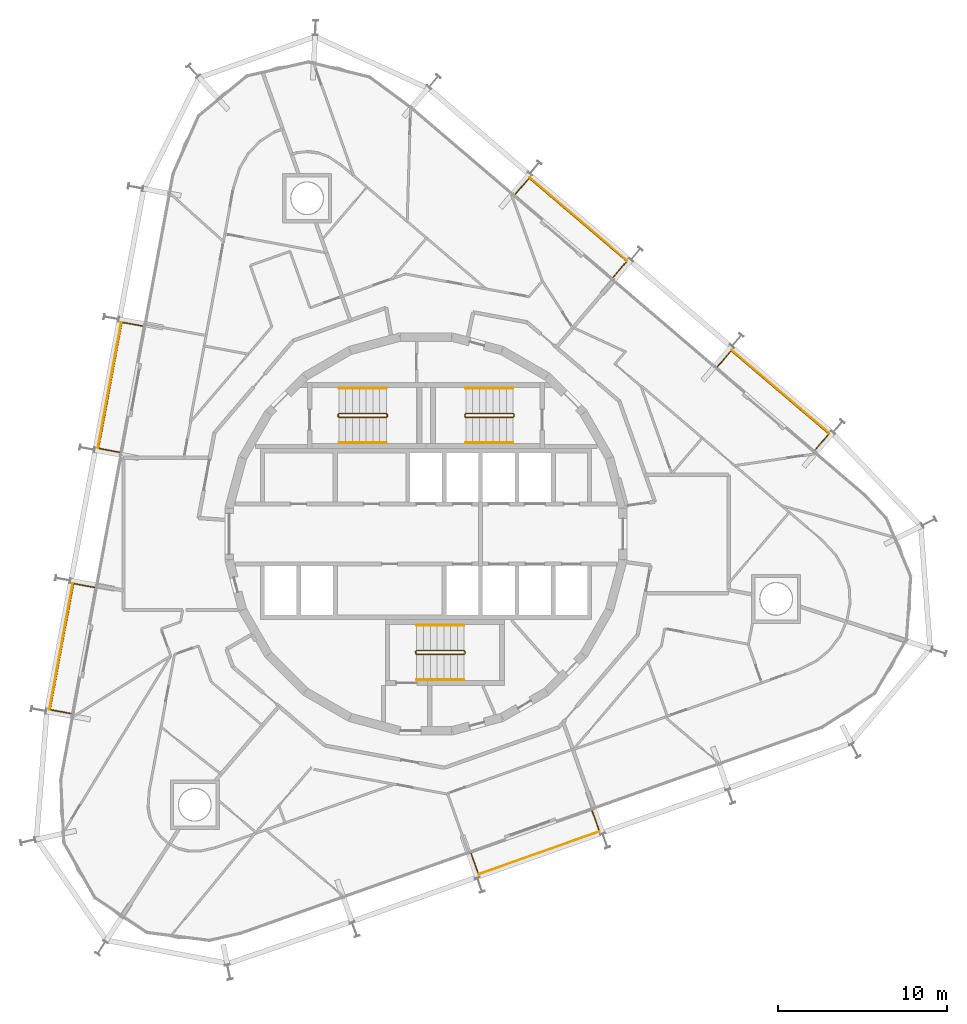
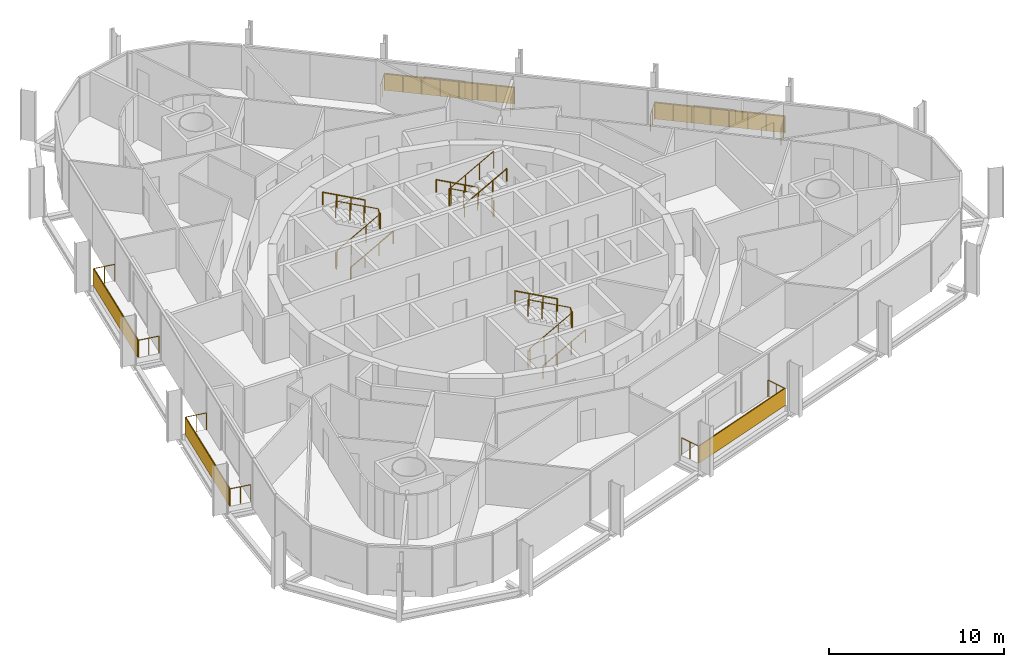
# One storey, part 17 of 17: 14 railings, 5 shading devices.
"""IFC4 building model written with IfcOpenShell, lengths in metres."""

import ifcopenshell
import ifcopenshell.guid

model = None  # the IFC model being written
_history = None  # IfcOwnerHistory: only IFC2X3 demands one
_inside = {}  # id of a spatial element -> (the spatial element, [elements in it])
_under = {}  # id of a project, library or spatial element -> (it, [spatial elements below it])
_declared = {}  # id of a project -> (the project, [libraries it declares])
_typed = {}  # id of a type object -> (the type object, [elements of that type])
_made_of = {}  # id of a material, layer set ... -> (it, [elements and type objects made of it])


def new_model(schema):
    """Start an empty IFC model of exactly this schema.

    Asked for "IFC4X3", IfcOpenShell would pick the latest addendum, in which some entities
    have other attributes; the version numbers below select the first issue.
    IFC2X3 requires an IfcOwnerHistory on every rooted entity: one is made here for all.
    """
    global model, _history
    if schema == "IFC4X3":
        model = ifcopenshell.file(schema_version=(4, 3, 0, 0))
    else:
        model = ifcopenshell.file(schema=schema)
    _inside.clear()
    _under.clear()
    _declared.clear()
    _typed.clear()
    _made_of.clear()
    _history = None
    if model.schema == "IFC2X3":
        org = make("IfcOrganization", Name="unknown")
        user = make(
            "IfcPersonAndOrganization",
            ThePerson=make("IfcPerson", FamilyName="unknown"),
            TheOrganization=org,
        )
        app = make(
            "IfcApplication",
            ApplicationDeveloper=org,
            Version="unknown",
            ApplicationFullName="unknown",
            ApplicationIdentifier="unknown",
        )
        _history = make(
            "IfcOwnerHistory",
            OwningUser=user,
            OwningApplication=app,
            ChangeAction="ADDED",
            CreationDate=0,
        )
    return model


def make(cls, **values):
    """One entity of the class cls with the attributes given. An attribute that is None is left unset."""
    return model.create_entity(
        cls, **{name: value for name, value in values.items() if value is not None}
    )


def rooted(cls, **values):
    """An entity with a GlobalId (a new one), such as an element, a storey or a relation."""
    return make(cls, GlobalId=ifcopenshell.guid.new(), OwnerHistory=_history, **values)


def si_unit(unit_type, name, prefix=None):
    """IfcSIUnit, for example si_unit("LENGTHUNIT", "METRE", prefix="MILLI")."""
    return make("IfcSIUnit", UnitType=unit_type, Prefix=prefix, Name=name)


def assignment(units):
    """IfcUnitAssignment: the units of a project."""
    return None if units is None else make("IfcUnitAssignment", Units=units)


def point(xyz):
    """IfcCartesianPoint."""
    return None if xyz is None else make("IfcCartesianPoint", Coordinates=xyz)


def direction(xyz):
    """IfcDirection."""
    return None if xyz is None else make("IfcDirection", DirectionRatios=xyz)


def frame(location, z_axis=None, x_axis=None):
    """IfcAxis2Placement3D, a coordinate frame: its origin and axes. An axis left out is left unset."""
    return make(
        "IfcAxis2Placement3D",
        Location=point(location),
        Axis=direction(z_axis),
        RefDirection=direction(x_axis),
    )


def frame_2d(location, x_axis=None):
    """IfcAxis2Placement2D, a coordinate frame in the plane: its origin and x axis."""
    return make(
        "IfcAxis2Placement2D", Location=point(location), RefDirection=direction(x_axis)
    )


def origin():
    """The frame at (0, 0, 0) with its axes left unset."""
    return frame((0.0, 0.0, 0.0))


def origin_2d():
    """The frame at (0, 0) in the plane with its x axis left unset."""
    return frame_2d((0.0, 0.0))


def place(relative_to, where):
    """IfcLocalPlacement: puts the frame where relative to a parent placement (None: the world)."""
    return make(
        "IfcLocalPlacement", PlacementRelTo=relative_to, RelativePlacement=where
    )


def context(
    kind, dimensions, precision=None, world=None, true_north=None, identifier=None
):
    """IfcGeometricRepresentationContext, for example the 3D "Model" context."""
    return make(
        "IfcGeometricRepresentationContext",
        ContextIdentifier=identifier,
        ContextType=kind,
        CoordinateSpaceDimension=dimensions,
        Precision=precision,
        WorldCoordinateSystem=world,
        TrueNorth=true_north,
    )


def subcontext(parent, identifier, kind, view, scale=None):
    """IfcGeometricRepresentationSubContext, for example "Body" below "Model"."""
    return make(
        "IfcGeometricRepresentationSubContext",
        ContextIdentifier=identifier,
        ContextType=kind,
        ParentContext=parent,
        TargetScale=scale,
        TargetView=view,
    )


def project(units=None, contexts=None):
    """IfcProject with its units and contexts."""
    return rooted(
        "IfcProject",
        Name="project",
        RepresentationContexts=contexts,
        UnitsInContext=assignment(units),
    )


def spatial(cls, under=None, at=None, **own):
    """A site, building, storey or space (cls), placed at a placement, below another one or the project."""
    s = rooted(cls, ObjectPlacement=at, **own)
    if under is not None:
        _under.setdefault(under.id(), (under, []))[1].append(s)
    return s


def profile(cls, at=None, kind="AREA", **sizes):
    """A parametric profile (cls). Its sizes go by their IFC names, for example OverallWidth=200.0."""
    return make(cls, ProfileType=kind, Position=at, **sizes)


def rectangle(**sizes):
    """IfcRectangleProfileDef."""
    return profile("IfcRectangleProfileDef", **sizes)


def circle(**sizes):
    """IfcCircleProfileDef."""
    return profile("IfcCircleProfileDef", **sizes)


def extrude(swept, where, along, depth):
    """IfcExtrudedAreaSolid: the profile swept, set in the frame where, extruded along a direction by depth."""
    return make(
        "IfcExtrudedAreaSolid",
        SweptArea=swept,
        Position=where,
        ExtrudedDirection=direction(along),
        Depth=depth,
    )


def shape(context_of_items, identifier, shape_type, items):
    """IfcShapeRepresentation: the items that make up one representation, for example the "Body"."""
    return make(
        "IfcShapeRepresentation",
        ContextOfItems=context_of_items,
        RepresentationIdentifier=identifier,
        RepresentationType=shape_type,
        Items=items,
    )


def material(Name=None, Category=None):
    """IfcMaterial."""
    return make("IfcMaterial", Name=Name, Category=Category)


def layer(
    of_material, thickness, ventilated=None, Name=None, Category=None, Priority=None
):
    """IfcMaterialLayer: one layer of a wall or slab, of a material (None: an air gap)."""
    return make(
        "IfcMaterialLayer",
        Material=of_material,
        LayerThickness=thickness,
        IsVentilated=ventilated,
        Name=Name,
        Category=Category,
        Priority=Priority,
    )


def layer_set(layers, Name=None):
    """IfcMaterialLayerSet."""
    return make("IfcMaterialLayerSet", MaterialLayers=layers, LayerSetName=Name)


def made_of(thing, what):
    """Note that an element or type object is made of a material, layer set ...; save() writes the relation."""
    if what is not None:
        _made_of.setdefault(what.id(), (what, []))[1].append(thing)
    return thing


def type_object(cls, material=None, **own):
    """A type object (cls), such as IfcWallType, which elements share."""
    return made_of(rooted(cls, **own), material)


def element(
    cls,
    number,
    at=None,
    inside=None,
    cuts=None,
    type_object=None,
    material=None,
    context=None,
    identifier="Body",
    shape_type=None,
    held_by="IfcProductDefinitionShape",
    body=None,
    shapes=None,
    **own,
):
    """One element of the class cls, such as IfcWall. Its Tag is "e" and its number.

    at: its placement. inside: the storey or other place that contains it. cuts: it is an
    opening in that element (IfcRelVoidsElement). A single representation is given by context,
    identifier, shape_type and body (its items); several are given by shapes. held_by: the class
    of the entity that holds the representations. save() writes the other relations.
    """
    e = rooted(cls, Tag="e%d" % number, ObjectPlacement=at, **own)
    if body is not None:
        shapes = [shape(context, identifier, shape_type, body)]
    if shapes is not None:
        e.Representation = make(held_by, Representations=shapes)
    if inside is not None:
        _inside.setdefault(inside.id(), (inside, []))[1].append(e)
    if cuts is not None:
        rooted(
            "IfcRelVoidsElement", RelatingBuildingElement=cuts, RelatedOpeningElement=e
        )
    if type_object is not None:
        _typed.setdefault(type_object.id(), (type_object, []))[1].append(e)
    return made_of(e, material)


def aggregate(whole, parts):
    """IfcRelAggregates: a whole, such as a stair, and the parts it consists of."""
    return rooted("IfcRelAggregates", RelatingObject=whole, RelatedObjects=parts)


def save(model, path):
    """Write the relations noted so far, then the file.

    IfcRelAggregates (storeys below a building ...), IfcRelContainedInSpatialStructure (elements
    in a storey), IfcRelDefinesByType, IfcRelAssociatesMaterial and IfcRelDeclares: one each for
    every whole, place, type object, material and project.
    """
    for whole, parts in _under.values():
        aggregate(whole, parts)
    for where, things in _inside.values():
        rooted(
            "IfcRelContainedInSpatialStructure",
            RelatedElements=things,
            RelatingStructure=where,
        )
    for kind, things in _typed.values():
        rooted("IfcRelDefinesByType", RelatedObjects=things, RelatingType=kind)
    for what, things in _made_of.values():
        rooted("IfcRelAssociatesMaterial", RelatedObjects=things, RelatingMaterial=what)
    for by, libraries in _declared.values():
        rooted("IfcRelDeclares", RelatingContext=by, RelatedDefinitions=libraries)
    model.write(path)


model = new_model("IFC4")

# Units and contexts
model_context = context("Model", 3, precision=1e-05, world=origin(), true_north=direction((0.0, 1.0)))
body_context = subcontext(model_context, "Body", "Model", "MODEL_VIEW")
ifc_project = project(units=[si_unit("LENGTHUNIT", "METRE"), si_unit("AREAUNIT", "SQUARE_METRE"), si_unit("VOLUMEUNIT", "CUBIC_METRE"), si_unit("PLANEANGLEUNIT", "RADIAN"), si_unit("MASSUNIT", "GRAM", prefix="KILO")], contexts=[model_context])

# Site, building, storey
site_placement = place(None, origin())
site = spatial("IfcSite", under=ifc_project, at=site_placement, CompositionType="ELEMENT")
building_placement = place(site_placement, origin())
building = spatial("IfcBuilding", under=site, at=building_placement, Name="Spindle Arch Residences", CompositionType="ELEMENT")
storey_placement = place(building_placement, frame((0.0, 0.0, 169.199951171875)))
storey = spatial("IfcBuildingStorey", under=building, at=storey_placement, Name="L42", CompositionType="ELEMENT", Elevation=169.199951171875)

# Railings
ifc_material_1 = material(Name="Bronze anodised aluminium guard with glass infill", Category="aluminium")
railing_type_1 = type_object("IfcRailingType", Name="Balcony guard 1200", PredefinedType="GUARDRAIL", material=ifc_material_1)
railing_1_placement = place(storey_placement, frame((23.014404296875, 4.966064453125, 0.0)))
element("IfcRailing", 1, at=railing_1_placement, inside=storey, type_object=railing_type_1, Name="Guard L42 bay 6", PredefinedType="GUARDRAIL", context=body_context, shape_type="SweptSolid", body=[
    extrude(circle(Radius=0.02392578125, at=origin_2d()), frame((0.0, 0.0, 1.17578125), z_axis=(0.64956818112, 0.760303346091, 0.0), x_axis=(-0.760303346091, 0.64956818112, 0.0)), (0.0, 0.0, 1.0), 1.25),
    extrude(circle(Radius=0.02392578125, at=origin_2d()), frame((0.81201171875, 0.950439453125, 1.17578125), z_axis=(-0.760411072194, 0.64944206923, 0.0), x_axis=(-0.64944206923, -0.760411072194, 0.0)), (0.0, 0.0, 1.0), 7.59033203125),
    extrude(circle(Radius=0.02392578125, at=origin_2d()), frame((-4.959716796875, 5.8798828125, 1.17578125), z_axis=(-0.64945526422, -0.760399802589, 0.0), x_axis=(0.760399802589, -0.64945526422, 0.0)), (0.0, 0.0, 1.0), 1.25),
    extrude(circle(Radius=0.02099609375, at=origin_2d()), origin(), (0.0, 0.0, 1.0), 1.15185546875),
    extrude(circle(Radius=0.02099609375, at=origin_2d()), frame((0.406005859375, 0.47509765625, 0.0)), (0.0, 0.0, 1.0), 1.15185546875),
    extrude(circle(Radius=0.02099609375, at=origin_2d()), frame((0.81201171875, 0.950439453125, 0.0)), (0.0, 0.0, 1.0), 1.15185546875),
    extrude(circle(Radius=0.02099609375, at=origin_2d()), frame((-0.012451171875, 1.654541015625, 0.0)), (0.0, 0.0, 1.0), 1.15185546875),
    extrude(circle(Radius=0.02099609375, at=origin_2d()), frame((-0.837158203125, 2.35888671875, 0.0)), (0.0, 0.0, 1.0), 1.15185546875),
    extrude(circle(Radius=0.02099609375, at=origin_2d()), frame((-1.66162109375, 3.06298828125, 0.0)), (0.0, 0.0, 1.0), 1.15185546875),
    extrude(circle(Radius=0.02099609375, at=origin_2d()), frame((-2.486083984375, 3.767333984375, 0.0)), (0.0, 0.0, 1.0), 1.15185546875),
    extrude(circle(Radius=0.02099609375, at=origin_2d()), frame((-3.310546875, 4.471435546875, 0.0)), (0.0, 0.0, 1.0), 1.15185546875),
    extrude(circle(Radius=0.02099609375, at=origin_2d()), frame((-4.13525390625, 5.17578125, 0.0)), (0.0, 0.0, 1.0), 1.15185546875),
    extrude(circle(Radius=0.02099609375, at=origin_2d()), frame((-4.959716796875, 5.8798828125, 0.0)), (0.0, 0.0, 1.0), 1.15185546875),
    extrude(circle(Radius=0.02099609375, at=origin_2d()), frame((-5.36572265625, 5.40478515625, 0.0)), (0.0, 0.0, 1.0), 1.15185546875),
    extrude(circle(Radius=0.02099609375, at=origin_2d()), frame((-5.771484375, 4.929443359375, 0.0)), (0.0, 0.0, 1.0), 1.15185546875),
])
railing_2_placement = place(storey_placement, frame((11.060791015625, 15.175537109375, 0.0)))
element("IfcRailing", 2, at=railing_2_placement, inside=storey, type_object=railing_type_1, Name="Guard L42 bay 8", PredefinedType="GUARDRAIL", context=body_context, shape_type="SweptSolid", body=[
    extrude(circle(Radius=0.02392578125, at=origin_2d()), frame((0.0, 0.0, 1.17578125), z_axis=(0.64945526422, 0.760399802589, 0.0), x_axis=(-0.760399802589, 0.64945526422, 0.0)), (0.0, 0.0, 1.0), 1.25),
    extrude(circle(Radius=0.02392578125, at=origin_2d()), frame((0.811767578125, 0.950439453125, 1.17578125), z_axis=(-0.760397505333, 0.649457953899, 0.0), x_axis=(-0.649457953899, -0.760397505333, 0.0)), (0.0, 0.0, 1.0), 7.590087890625),
    extrude(circle(Radius=0.02392578125, at=origin_2d()), frame((-4.959716796875, 5.8798828125, 1.17578125), z_axis=(-0.64945526422, -0.760399802589, 0.0), x_axis=(0.760399802589, -0.64945526422, 0.0)), (0.0, 0.0, 1.0), 1.25),
    extrude(circle(Radius=0.02099609375, at=origin_2d()), origin(), (0.0, 0.0, 1.0), 1.15185546875),
    extrude(circle(Radius=0.02099609375, at=origin_2d()), frame((0.40576171875, 0.47509765625, 0.0)), (0.0, 0.0, 1.0), 1.15185546875),
    extrude(circle(Radius=0.02099609375, at=origin_2d()), frame((0.811767578125, 0.950439453125, 0.0)), (0.0, 0.0, 1.0), 1.15185546875),
    extrude(circle(Radius=0.02099609375, at=origin_2d()), frame((-0.0126953125, 1.654541015625, 0.0)), (0.0, 0.0, 1.0), 1.15185546875),
    extrude(circle(Radius=0.02099609375, at=origin_2d()), frame((-0.837158203125, 2.35888671875, 0.0)), (0.0, 0.0, 1.0), 1.15185546875),
    extrude(circle(Radius=0.02099609375, at=origin_2d()), frame((-1.66162109375, 3.06298828125, 0.0)), (0.0, 0.0, 1.0), 1.15185546875),
    extrude(circle(Radius=0.02099609375, at=origin_2d()), frame((-2.486328125, 3.767333984375, 0.0)), (0.0, 0.0, 1.0), 1.15185546875),
    extrude(circle(Radius=0.02099609375, at=origin_2d()), frame((-3.310791015625, 4.471435546875, 0.0)), (0.0, 0.0, 1.0), 1.15185546875),
    extrude(circle(Radius=0.02099609375, at=origin_2d()), frame((-4.13525390625, 5.17578125, 0.0)), (0.0, 0.0, 1.0), 1.15185546875),
    extrude(circle(Radius=0.02099609375, at=origin_2d()), frame((-4.959716796875, 5.8798828125, 0.0)), (0.0, 0.0, 1.0), 1.15185546875),
    extrude(circle(Radius=0.02099609375, at=origin_2d()), frame((-5.36572265625, 5.40478515625, 0.0)), (0.0, 0.0, 1.0), 1.15185546875),
    extrude(circle(Radius=0.02099609375, at=origin_2d()), frame((-5.771484375, 4.929443359375, 0.0)), (0.0, 0.0, 1.0), 1.15185546875),
])
railing_3_placement = place(storey_placement, frame((-16.762939453125, 12.2958984375, 0.0)))
element("IfcRailing", 3, at=railing_3_placement, inside=storey, type_object=railing_type_1, Name="Guard L42 bay 14", PredefinedType="GUARDRAIL", context=body_context, shape_type="SweptSolid", body=[
    extrude(circle(Radius=0.02392578125, at=origin_2d()), frame((0.0, 0.0, 1.17578125), z_axis=(-0.983254793894, 0.182236138797, 0.0), x_axis=(-0.182236138797, -0.983254793894, 0.0)), (0.0, 0.0, 1.0), 1.25),
    extrude(circle(Radius=0.02392578125, at=origin_2d()), frame((-1.22900390625, 0.227783203125, 1.17578125), z_axis=(-0.18224705418, -0.983252770778, 0.0), x_axis=(0.983252770778, -0.18224705418, 0.0)), (0.0, 0.0, 1.0), 7.59033203125),
    extrude(circle(Radius=0.02392578125, at=origin_2d()), frame((-2.6123046875, -7.2353515625, 1.17578125), z_axis=(0.983261278697, -0.182201146579, 0.0), x_axis=(0.182201146579, 0.983261278697, 0.0)), (0.0, 0.0, 1.0), 1.250244140625),
    extrude(circle(Radius=0.02099609375, at=origin_2d()), origin(), (0.0, 0.0, 1.0), 1.15185546875),
    extrude(circle(Radius=0.02099609375, at=origin_2d()), frame((-0.614501953125, 0.11376953125, 0.0)), (0.0, 0.0, 1.0), 1.15185546875),
    extrude(circle(Radius=0.02099609375, at=origin_2d()), frame((-1.22900390625, 0.227783203125, 0.0)), (0.0, 0.0, 1.0), 1.15185546875),
    extrude(circle(Radius=0.02099609375, at=origin_2d()), frame((-1.426513671875, -0.83837890625, 0.0)), (0.0, 0.0, 1.0), 1.15185546875),
    extrude(circle(Radius=0.02099609375, at=origin_2d()), frame((-1.624267578125, -1.904541015625, 0.0)), (0.0, 0.0, 1.0), 1.15185546875),
    extrude(circle(Radius=0.02099609375, at=origin_2d()), frame((-1.82177734375, -2.970703125, 0.0)), (0.0, 0.0, 1.0), 1.15185546875),
    extrude(circle(Radius=0.02099609375, at=origin_2d()), frame((-2.01953125, -4.036865234375, 0.0)), (0.0, 0.0, 1.0), 1.15185546875),
    extrude(circle(Radius=0.02099609375, at=origin_2d()), frame((-2.217041015625, -5.10302734375, 0.0)), (0.0, 0.0, 1.0), 1.15185546875),
    extrude(circle(Radius=0.02099609375, at=origin_2d()), frame((-2.414794921875, -6.169189453125, 0.0)), (0.0, 0.0, 1.0), 1.15185546875),
    extrude(circle(Radius=0.02099609375, at=origin_2d()), frame((-2.6123046875, -7.2353515625, 0.0)), (0.0, 0.0, 1.0), 1.15185546875),
    extrude(circle(Radius=0.02099609375, at=origin_2d()), frame((-1.99755859375, -7.34912109375, 0.0)), (0.0, 0.0, 1.0), 1.15185546875),
    extrude(circle(Radius=0.02099609375, at=origin_2d()), frame((-1.383056640625, -7.463134765625, 0.0)), (0.0, 0.0, 1.0), 1.15185546875),
])
railing_4_placement = place(storey_placement, frame((-19.627685546875, -3.1611328125, 0.0)))
element("IfcRailing", 4, at=railing_4_placement, inside=storey, type_object=railing_type_1, Name="Guard L42 bay 16", PredefinedType="GUARDRAIL", context=body_context, shape_type="SweptSolid", body=[
    extrude(circle(Radius=0.02392578125, at=origin_2d()), frame((0.0, 0.0, 1.17578125), z_axis=(-0.983254793894, 0.182236138797, 0.0), x_axis=(-0.182236138797, -0.983254793894, 0.0)), (0.0, 0.0, 1.0), 1.25),
    extrude(circle(Radius=0.02392578125, at=origin_2d()), frame((-1.22900390625, 0.227783203125, 1.17578125), z_axis=(-0.182252818169, -0.983251702398, 0.0), x_axis=(0.983251702398, -0.182252818169, 0.0)), (0.0, 0.0, 1.0), 7.590087890625),
    extrude(circle(Radius=0.02392578125, at=origin_2d()), frame((-2.6123046875, -7.235107421875, 1.17578125), z_axis=(0.983254793894, -0.182236138797, 0.0), x_axis=(0.182236138797, 0.983254793894, 0.0)), (0.0, 0.0, 1.0), 1.25),
    extrude(circle(Radius=0.02099609375, at=origin_2d()), origin(), (0.0, 0.0, 1.0), 1.15185546875),
    extrude(circle(Radius=0.02099609375, at=origin_2d()), frame((-0.614501953125, 0.11376953125, 0.0)), (0.0, 0.0, 1.0), 1.15185546875),
    extrude(circle(Radius=0.02099609375, at=origin_2d()), frame((-1.22900390625, 0.227783203125, 0.0)), (0.0, 0.0, 1.0), 1.15185546875),
    extrude(circle(Radius=0.02099609375, at=origin_2d()), frame((-1.426513671875, -0.83837890625, 0.0)), (0.0, 0.0, 1.0), 1.15185546875),
    extrude(circle(Radius=0.02099609375, at=origin_2d()), frame((-1.624267578125, -1.904541015625, 0.0)), (0.0, 0.0, 1.0), 1.15185546875),
    extrude(circle(Radius=0.02099609375, at=origin_2d()), frame((-1.82177734375, -2.970703125, 0.0)), (0.0, 0.0, 1.0), 1.15185546875),
    extrude(circle(Radius=0.02099609375, at=origin_2d()), frame((-2.01953125, -4.03662109375, 0.0)), (0.0, 0.0, 1.0), 1.15185546875),
    extrude(circle(Radius=0.02099609375, at=origin_2d()), frame((-2.217041015625, -5.102783203125, 0.0)), (0.0, 0.0, 1.0), 1.15185546875),
    extrude(circle(Radius=0.02099609375, at=origin_2d()), frame((-2.414794921875, -6.1689453125, 0.0)), (0.0, 0.0, 1.0), 1.15185546875),
    extrude(circle(Radius=0.02099609375, at=origin_2d()), frame((-2.6123046875, -7.235107421875, 0.0)), (0.0, 0.0, 1.0), 1.15185546875),
    extrude(circle(Radius=0.02099609375, at=origin_2d()), frame((-1.997802734375, -7.34912109375, 0.0)), (0.0, 0.0, 1.0), 1.15185546875),
    extrude(circle(Radius=0.02099609375, at=origin_2d()), frame((-1.38330078125, -7.462890625, 0.0)), (0.0, 0.0, 1.0), 1.15185546875),
])
railing_5_placement = place(storey_placement, frame((2.672607421875, -18.915771484375, 0.0)))
element("IfcRailing", 5, at=railing_5_placement, inside=storey, type_object=railing_type_1, Name="Guard L42 bay 22", PredefinedType="GUARDRAIL", context=body_context, shape_type="SweptSolid", body=[
    extrude(circle(Radius=0.02392578125, at=origin_2d()), frame((0.0, 0.0, 1.17578125), z_axis=(0.333749533427, -0.942661789263, 0.0), x_axis=(0.942661789263, 0.333749533427, 0.0)), (0.0, 0.0, 1.0), 1.250244140625),
    extrude(circle(Radius=0.02392578125, at=origin_2d()), frame((0.417236328125, -1.178466796875, 1.17578125), z_axis=(0.942635871189, 0.333822728927, 0.0), x_axis=(-0.333822728927, 0.942635871189, 0.0)), (0.0, 0.0, 1.0), 7.58984375),
    extrude(circle(Radius=0.02392578125, at=origin_2d()), frame((7.57177734375, 1.355224609375, 1.17578125), z_axis=(-0.333810984592, 0.942640030216, 0.0), x_axis=(-0.942640030216, -0.333810984592, 0.0)), (0.0, 0.0, 1.0), 1.25),
    extrude(circle(Radius=0.02099609375, at=origin_2d()), origin(), (0.0, 0.0, 1.0), 1.15185546875),
    extrude(circle(Radius=0.02099609375, at=origin_2d()), frame((0.20849609375, -0.58935546875, 0.0)), (0.0, 0.0, 1.0), 1.15185546875),
    extrude(circle(Radius=0.02099609375, at=origin_2d()), frame((0.417236328125, -1.178466796875, 0.0)), (0.0, 0.0, 1.0), 1.15185546875),
    extrude(circle(Radius=0.02099609375, at=origin_2d()), frame((1.439208984375, -0.81640625, 0.0)), (0.0, 0.0, 1.0), 1.15185546875),
    extrude(circle(Radius=0.02099609375, at=origin_2d()), frame((2.46142578125, -0.45458984375, 0.0)), (0.0, 0.0, 1.0), 1.15185546875),
    extrude(circle(Radius=0.02099609375, at=origin_2d()), frame((3.4833984375, -0.092529296875, 0.0)), (0.0, 0.0, 1.0), 1.15185546875),
    extrude(circle(Radius=0.02099609375, at=origin_2d()), frame((4.505615234375, 0.269287109375, 0.0)), (0.0, 0.0, 1.0), 1.15185546875),
    extrude(circle(Radius=0.02099609375, at=origin_2d()), frame((5.527587890625, 0.63134765625, 0.0)), (0.0, 0.0, 1.0), 1.15185546875),
    extrude(circle(Radius=0.02099609375, at=origin_2d()), frame((6.5498046875, 0.9931640625, 0.0)), (0.0, 0.0, 1.0), 1.15185546875),
    extrude(circle(Radius=0.02099609375, at=origin_2d()), frame((7.57177734375, 1.355224609375, 0.0)), (0.0, 0.0, 1.0), 1.15185546875),
    extrude(circle(Radius=0.02099609375, at=origin_2d()), frame((7.36328125, 1.9443359375, 0.0)), (0.0, 0.0, 1.0), 1.15185546875),
    extrude(circle(Radius=0.02099609375, at=origin_2d()), frame((7.154541015625, 2.533447265625, 0.0)), (0.0, 0.0, 1.0), 1.15185546875),
])

# Shading devices
ifc_material_2 = material(Name="Bronze perforated cobogo screen")
ifc_layer = layer(ifc_material_2, 0.0390625)
ifc_layer_set = layer_set([ifc_layer], Name="Cobogo screen 1200")
shading_device_type = type_object("IfcShadingDeviceType", Name="Cobogo screen 1200", PredefinedType="USERDEFINED", material=ifc_layer_set)
for number, where, z_axis, x_axis, name in (
    (6, (20.966796875, 8.412109375, 0.0), (0.0, 0.0, 1.0), (-0.7604059656, 0.64944804833, 0.0), "Cobogo screen L42 bay 6"),
    (7, (9.01318359375, 18.62158203125, 0.0), (0.0, 0.0, 1.0), (-0.7604059656, 0.64944804833, 0.0), "Cobogo screen L42 bay 8"),
    (8, (-18.723388671875, 8.799560546875, 0.0), (0.0, 0.0, 1.0), (-0.182235525492, -0.983254907564, 0.0), "Cobogo screen L42 bay 14"),
    (9, (-21.588134765625, -6.657470703125, 0.0), (0.0, 0.0, 1.0), (-0.182235525492, -0.983254907564, 0.0), "Cobogo screen L42 bay 16"),
    (10, (6.6806640625, -18.865478515625, 0.0), (0.0, 0.0, 1.0), (0.942641491092, 0.333806859234, 0.0), "Cobogo screen L42 bay 22"),
):
    element("IfcShadingDevice", number, at=place(storey_placement, frame(where, z_axis=z_axis, x_axis=x_axis)), inside=storey, type_object=shading_device_type, Name=name, ObjectType="SCREEN", PredefinedType="USERDEFINED", context=body_context, shape_type="SweptSolid", body=[
        extrude(rectangle(XDim=7.590087890625, YDim=0.0390625, at=origin_2d()), origin(), (0.0, 0.0, 1.0), 1.199951171875),
    ])

# Railings
ifc_material_3 = material(Name="Steel, painted", Category="steel")
railing_type_2 = type_object("IfcRailingType", Name="Stair guard 1100", PredefinedType="GUARDRAIL", material=ifc_material_3)
railing_6_placement = place(storey_placement, frame((5.14990234375, 6.89990234375, 3.5)))
element("IfcRailing", 11, at=railing_6_placement, inside=storey, type_object=railing_type_2, Name="L42 ST1 stair guard 1", PredefinedType="GUARDRAIL", context=body_context, shape_type="SweptSolid", body=[
    extrude(circle(Radius=0.02392578125, at=origin_2d()), frame((0.0, 0.0, 1.17578125), z_axis=(-0.877357048833, 0.0, -0.479838106931), x_axis=(0.0, -1.0, 0.0)), (0.0, 0.0, 1.0), 3.191162109375),
    extrude(circle(Radius=0.02392578125, at=origin_2d()), frame((-2.7998046875, 0.0, -0.35546875), z_axis=(-0.217683172539, 0.217683172539, -0.951434744366), x_axis=(-0.707106781187, -0.707106781187, 0.0)), (0.0, 0.0, 1.0), 0.22998046875),
    extrude(circle(Radius=0.02392578125, at=origin_2d()), frame((-2.849853515625, 0.050048828125, -0.57421875), z_axis=(0.0, 1.0, 0.0), x_axis=(-1.0, 0.0, 0.0)), (0.0, 0.0, 1.0), 0.1201171875),
    extrude(circle(Radius=0.02392578125, at=origin_2d()), frame((-2.849853515625, 0.170166015625, -0.57421875), z_axis=(0.707106781187, 0.707106781187, 0.0), x_axis=(-0.707106781187, 0.707106781187, 0.0)), (0.0, 0.0, 1.0), 0.07080078125),
    extrude(circle(Radius=0.02392578125, at=origin_2d()), frame((-2.7998046875, 0.22021484375, -0.57421875), z_axis=(0.877357048833, 0.0, -0.479838106931), x_axis=(0.0, 1.0, 0.0)), (0.0, 0.0, 1.0), 3.191162109375),
    extrude(circle(Radius=0.02392578125, at=origin_2d()), frame((0.0, 0.22021484375, -2.10546875), z_axis=(0.217683172539, -0.217683172539, -0.951434744366), x_axis=(0.707106781187, 0.707106781187, 0.0)), (0.0, 0.0, 1.0), 0.22998046875),
    extrude(circle(Radius=0.02392578125, at=origin_2d()), frame((0.050048828125, 0.170166015625, -2.32421875), z_axis=(0.0, -1.0, 0.0), x_axis=(1.0, 0.0, 0.0)), (0.0, 0.0, 1.0), 0.1201171875),
    extrude(circle(Radius=0.02099609375, at=origin_2d()), origin(), (0.0, 0.0, 1.0), 1.15185546875),
    extrude(circle(Radius=0.02099609375, at=origin_2d()), frame((-0.933349609375, 0.0, -0.510498046875)), (0.0, 0.0, 1.0), 1.15185546875),
    extrude(circle(Radius=0.02099609375, at=origin_2d()), frame((-1.866455078125, 0.0, -1.020751953125)), (0.0, 0.0, 1.0), 1.15185546875),
    extrude(circle(Radius=0.02099609375, at=origin_2d()), frame((-2.7998046875, 0.0, -1.53125)), (0.0, 0.0, 1.0), 1.15185546875),
    extrude(circle(Radius=0.02099609375, at=origin_2d()), frame((-2.849853515625, 0.050048828125, -1.75)), (0.0, 0.0, 1.0), 1.15185546875),
    extrude(circle(Radius=0.02099609375, at=origin_2d()), frame((-2.849853515625, 0.170166015625, -1.75)), (0.0, 0.0, 1.0), 1.15185546875),
    extrude(circle(Radius=0.02099609375, at=origin_2d()), frame((-2.7998046875, 0.22021484375, -1.75)), (0.0, 0.0, 1.0), 1.15185546875),
    extrude(circle(Radius=0.02099609375, at=origin_2d()), frame((-1.866455078125, 0.22021484375, -2.260498046875)), (0.0, 0.0, 1.0), 1.15185546875),
    extrude(circle(Radius=0.02099609375, at=origin_2d()), frame((-0.933349609375, 0.22021484375, -2.770751953125)), (0.0, 0.0, 1.0), 1.15185546875),
    extrude(circle(Radius=0.02099609375, at=origin_2d()), frame((0.0, 0.22021484375, -3.28125)), (0.0, 0.0, 1.0), 1.15185546875),
    extrude(circle(Radius=0.02099609375, at=origin_2d()), frame((0.050048828125, 0.170166015625, -3.5)), (0.0, 0.0, 1.0), 1.15185546875),
    extrude(circle(Radius=0.02099609375, at=origin_2d()), frame((0.050048828125, 0.050048828125, -3.5)), (0.0, 0.0, 1.0), 1.15185546875),
])
railing_7_placement = place(storey_placement, frame((-5.14990234375, 7.1201171875, 3.5)))
element("IfcRailing", 12, at=railing_7_placement, inside=storey, type_object=railing_type_2, Name="L42 ST2 stair guard 1", PredefinedType="GUARDRAIL", context=body_context, shape_type="SweptSolid", body=[
    extrude(circle(Radius=0.02392578125, at=origin_2d()), frame((0.0, 0.0, 1.17578125), z_axis=(0.877357048833, 0.0, -0.479838106931), x_axis=(0.0, 1.0, 0.0)), (0.0, 0.0, 1.0), 3.191162109375),
    extrude(circle(Radius=0.02392578125, at=origin_2d()), frame((2.7998046875, 0.0, -0.35546875), z_axis=(0.217683172539, -0.217683172539, -0.951434744366), x_axis=(0.707106781187, 0.707106781187, 0.0)), (0.0, 0.0, 1.0), 0.22998046875),
    extrude(circle(Radius=0.02392578125, at=origin_2d()), frame((2.849853515625, -0.050048828125, -0.57421875), z_axis=(0.0, -1.0, 0.0), x_axis=(1.0, 0.0, 0.0)), (0.0, 0.0, 1.0), 0.1201171875),
    extrude(circle(Radius=0.02392578125, at=origin_2d()), frame((2.849853515625, -0.170166015625, -0.57421875), z_axis=(-0.707106781187, -0.707106781187, 0.0), x_axis=(0.707106781187, -0.707106781187, 0.0)), (0.0, 0.0, 1.0), 0.07080078125),
    extrude(circle(Radius=0.02392578125, at=origin_2d()), frame((2.7998046875, -0.22021484375, -0.57421875), z_axis=(-0.877357048833, 0.0, -0.479838106931), x_axis=(0.0, -1.0, 0.0)), (0.0, 0.0, 1.0), 3.191162109375),
    extrude(circle(Radius=0.02392578125, at=origin_2d()), frame((0.0, -0.22021484375, -2.10546875), z_axis=(-0.217683172539, 0.217683172539, -0.951434744366), x_axis=(-0.707106781187, -0.707106781187, 0.0)), (0.0, 0.0, 1.0), 0.22998046875),
    extrude(circle(Radius=0.02392578125, at=origin_2d()), frame((-0.050048828125, -0.170166015625, -2.32421875), z_axis=(0.0, 1.0, 0.0), x_axis=(-1.0, 0.0, 0.0)), (0.0, 0.0, 1.0), 0.1201171875),
    extrude(circle(Radius=0.02099609375, at=origin_2d()), origin(), (0.0, 0.0, 1.0), 1.15185546875),
    extrude(circle(Radius=0.02099609375, at=origin_2d()), frame((0.933349609375, 0.0, -0.510498046875)), (0.0, 0.0, 1.0), 1.15185546875),
    extrude(circle(Radius=0.02099609375, at=origin_2d()), frame((1.866455078125, 0.0, -1.020751953125)), (0.0, 0.0, 1.0), 1.15185546875),
    extrude(circle(Radius=0.02099609375, at=origin_2d()), frame((2.7998046875, 0.0, -1.53125)), (0.0, 0.0, 1.0), 1.15185546875),
    extrude(circle(Radius=0.02099609375, at=origin_2d()), frame((2.849853515625, -0.050048828125, -1.75)), (0.0, 0.0, 1.0), 1.15185546875),
    extrude(circle(Radius=0.02099609375, at=origin_2d()), frame((2.849853515625, -0.170166015625, -1.75)), (0.0, 0.0, 1.0), 1.15185546875),
    extrude(circle(Radius=0.02099609375, at=origin_2d()), frame((2.7998046875, -0.22021484375, -1.75)), (0.0, 0.0, 1.0), 1.15185546875),
    extrude(circle(Radius=0.02099609375, at=origin_2d()), frame((1.866455078125, -0.22021484375, -2.260498046875)), (0.0, 0.0, 1.0), 1.15185546875),
    extrude(circle(Radius=0.02099609375, at=origin_2d()), frame((0.933349609375, -0.22021484375, -2.770751953125)), (0.0, 0.0, 1.0), 1.15185546875),
    extrude(circle(Radius=0.02099609375, at=origin_2d()), frame((0.0, -0.22021484375, -3.28125)), (0.0, 0.0, 1.0), 1.15185546875),
    extrude(circle(Radius=0.02099609375, at=origin_2d()), frame((-0.050048828125, -0.170166015625, -3.5)), (0.0, 0.0, 1.0), 1.15185546875),
    extrude(circle(Radius=0.02099609375, at=origin_2d()), frame((-0.050048828125, -0.050048828125, -3.5)), (0.0, 0.0, 1.0), 1.15185546875),
])
railing_8_placement = place(storey_placement, frame((-0.550048828125, -6.89990234375, 3.5)))
element("IfcRailing", 13, at=railing_8_placement, inside=storey, type_object=railing_type_2, Name="L42 ST3 stair guard 1", PredefinedType="GUARDRAIL", context=body_context, shape_type="SweptSolid", body=[
    extrude(circle(Radius=0.02392578125, at=origin_2d()), frame((0.0, 0.0, 1.17578125), z_axis=(0.877374661878, 0.0, -0.479805901063), x_axis=(0.0, 1.0, 0.0)), (0.0, 0.0, 1.0), 3.19140625),
    extrude(circle(Radius=0.02392578125, at=origin_2d()), frame((2.800048828125, 0.0, -0.35546875), z_axis=(0.217683172539, -0.217683172539, -0.951434744366), x_axis=(0.707106781187, 0.707106781187, 0.0)), (0.0, 0.0, 1.0), 0.22998046875),
    extrude(circle(Radius=0.02392578125, at=origin_2d()), frame((2.85009765625, -0.050048828125, -0.57421875), z_axis=(0.0, -1.0, 0.0), x_axis=(1.0, 0.0, 0.0)), (0.0, 0.0, 1.0), 0.1201171875),
    extrude(circle(Radius=0.02392578125, at=origin_2d()), frame((2.85009765625, -0.170166015625, -0.57421875), z_axis=(-0.707106781187, -0.707106781187, 0.0), x_axis=(0.707106781187, -0.707106781187, 0.0)), (0.0, 0.0, 1.0), 0.07080078125),
    extrude(circle(Radius=0.02392578125, at=origin_2d()), frame((2.800048828125, -0.22021484375, -0.57421875), z_axis=(-0.877374661878, 0.0, -0.479805901063), x_axis=(0.0, -1.0, 0.0)), (0.0, 0.0, 1.0), 3.19140625),
    extrude(circle(Radius=0.02392578125, at=origin_2d()), frame((0.0, -0.22021484375, -2.10546875), z_axis=(-0.217683172539, 0.217683172539, -0.951434744366), x_axis=(-0.707106781187, -0.707106781187, 0.0)), (0.0, 0.0, 1.0), 0.22998046875),
    extrude(circle(Radius=0.02392578125, at=origin_2d()), frame((-0.050048828125, -0.170166015625, -2.32421875), z_axis=(0.0, 1.0, 0.0), x_axis=(-1.0, 0.0, 0.0)), (0.0, 0.0, 1.0), 0.1201171875),
    extrude(circle(Radius=0.02099609375, at=origin_2d()), origin(), (0.0, 0.0, 1.0), 1.15185546875),
    extrude(circle(Radius=0.02099609375, at=origin_2d()), frame((0.933349609375, 0.0, -0.510498046875)), (0.0, 0.0, 1.0), 1.15185546875),
    extrude(circle(Radius=0.02099609375, at=origin_2d()), frame((1.86669921875, 0.0, -1.020751953125)), (0.0, 0.0, 1.0), 1.15185546875),
    extrude(circle(Radius=0.02099609375, at=origin_2d()), frame((2.800048828125, 0.0, -1.53125)), (0.0, 0.0, 1.0), 1.15185546875),
    extrude(circle(Radius=0.02099609375, at=origin_2d()), frame((2.85009765625, -0.050048828125, -1.75)), (0.0, 0.0, 1.0), 1.15185546875),
    extrude(circle(Radius=0.02099609375, at=origin_2d()), frame((2.85009765625, -0.170166015625, -1.75)), (0.0, 0.0, 1.0), 1.15185546875),
    extrude(circle(Radius=0.02099609375, at=origin_2d()), frame((2.800048828125, -0.22021484375, -1.75)), (0.0, 0.0, 1.0), 1.15185546875),
    extrude(circle(Radius=0.02099609375, at=origin_2d()), frame((1.86669921875, -0.22021484375, -2.260498046875)), (0.0, 0.0, 1.0), 1.15185546875),
    extrude(circle(Radius=0.02099609375, at=origin_2d()), frame((0.933349609375, -0.22021484375, -2.770751953125)), (0.0, 0.0, 1.0), 1.15185546875),
    extrude(circle(Radius=0.02099609375, at=origin_2d()), frame((0.0, -0.22021484375, -3.28125)), (0.0, 0.0, 1.0), 1.15185546875),
    extrude(circle(Radius=0.02099609375, at=origin_2d()), frame((-0.050048828125, -0.170166015625, -3.5)), (0.0, 0.0, 1.0), 1.15185546875),
    extrude(circle(Radius=0.02099609375, at=origin_2d()), frame((-0.050048828125, -0.050048828125, -3.5)), (0.0, 0.0, 1.0), 1.15185546875),
])
ifc_material_4 = material(Name="Steel, painted", Category="steel")
railing_type_3 = type_object("IfcRailingType", Name="Stair handrail 900", PredefinedType="HANDRAIL", material=ifc_material_4)
railing_9_placement = place(storey_placement, frame((5.14990234375, 8.6201171875, 0.21875)))
element("IfcRailing", 14, at=railing_9_placement, inside=storey, type_object=railing_type_3, Name="L42 ST1 stair handrail 1", PredefinedType="HANDRAIL", context=body_context, shape_type="SweptSolid", body=[
    extrude(circle(Radius=0.02392578125, at=origin_2d()), frame((0.0, 0.0, 0.8759765625), z_axis=(-0.877357048833, 0.0, 0.479838106931), x_axis=(0.0, -1.0, 0.0)), (0.0, 0.0, 1.0), 3.191162109375),
    extrude(circle(Radius=0.02099609375, at=origin_2d()), origin(), (0.0, 0.0, 1.0), 0.851806640625),
    extrude(circle(Radius=0.02099609375, at=origin_2d()), frame((-0.933349609375, 0.0, 0.510498046875)), (0.0, 0.0, 1.0), 0.851806640625),
    extrude(circle(Radius=0.02099609375, at=origin_2d()), frame((-1.866455078125, 0.0, 1.020751953125)), (0.0, 0.0, 1.0), 0.851806640625),
    extrude(circle(Radius=0.02099609375, at=origin_2d()), frame((-2.7998046875, 0.0, 1.53125)), (0.0, 0.0, 1.0), 0.851806640625),
])
for number, where, name in (
    (15, (2.35009765625, 5.39990234375, 1.96875), "L42 ST1 stair handrail 2"),
    (16, (-5.14990234375, 5.39990234375, 0.21875), "L42 ST2 stair handrail 1"),
):
    element("IfcRailing", number, at=place(storey_placement, frame(where)), inside=storey, type_object=railing_type_3, Name=name, PredefinedType="HANDRAIL", context=body_context, shape_type="SweptSolid", body=[
        extrude(circle(Radius=0.02392578125, at=origin_2d()), frame((0.0, 0.0, 0.8759765625), z_axis=(0.877357048833, 0.0, 0.479838106931), x_axis=(0.0, 1.0, 0.0)), (0.0, 0.0, 1.0), 3.191162109375),
        extrude(circle(Radius=0.02099609375, at=origin_2d()), origin(), (0.0, 0.0, 1.0), 0.851806640625),
        extrude(circle(Radius=0.02099609375, at=origin_2d()), frame((0.933349609375, 0.0, 0.510498046875)), (0.0, 0.0, 1.0), 0.851806640625),
        extrude(circle(Radius=0.02099609375, at=origin_2d()), frame((1.866455078125, 0.0, 1.020751953125)), (0.0, 0.0, 1.0), 0.851806640625),
        extrude(circle(Radius=0.02099609375, at=origin_2d()), frame((2.7998046875, 0.0, 1.53125)), (0.0, 0.0, 1.0), 0.851806640625),
    ])
railing_10_placement = place(storey_placement, frame((-2.35009765625, 8.6201171875, 1.96875)))
element("IfcRailing", 17, at=railing_10_placement, inside=storey, type_object=railing_type_3, Name="L42 ST2 stair handrail 2", PredefinedType="HANDRAIL", context=body_context, shape_type="SweptSolid", body=[
    extrude(circle(Radius=0.02392578125, at=origin_2d()), frame((0.0, 0.0, 0.8759765625), z_axis=(-0.877357048833, 0.0, 0.479838106931), x_axis=(0.0, -1.0, 0.0)), (0.0, 0.0, 1.0), 3.191162109375),
    extrude(circle(Radius=0.02099609375, at=origin_2d()), origin(), (0.0, 0.0, 1.0), 0.851806640625),
    extrude(circle(Radius=0.02099609375, at=origin_2d()), frame((-0.933349609375, 0.0, 0.510498046875)), (0.0, 0.0, 1.0), 0.851806640625),
    extrude(circle(Radius=0.02099609375, at=origin_2d()), frame((-1.866455078125, 0.0, 1.020751953125)), (0.0, 0.0, 1.0), 0.851806640625),
    extrude(circle(Radius=0.02099609375, at=origin_2d()), frame((-2.7998046875, 0.0, 1.53125)), (0.0, 0.0, 1.0), 0.851806640625),
])
railing_11_placement = place(storey_placement, frame((-0.550048828125, -8.6201171875, 0.21875)))
element("IfcRailing", 18, at=railing_11_placement, inside=storey, type_object=railing_type_3, Name="L42 ST3 stair handrail 1", PredefinedType="HANDRAIL", context=body_context, shape_type="SweptSolid", body=[
    extrude(circle(Radius=0.02392578125, at=origin_2d()), frame((0.0, 0.0, 0.8759765625), z_axis=(0.877374661878, 0.0, 0.479805901063), x_axis=(0.0, 1.0, 0.0)), (0.0, 0.0, 1.0), 3.19140625),
    extrude(circle(Radius=0.02099609375, at=origin_2d()), origin(), (0.0, 0.0, 1.0), 0.851806640625),
    extrude(circle(Radius=0.02099609375, at=origin_2d()), frame((0.933349609375, 0.0, 0.510498046875)), (0.0, 0.0, 1.0), 0.851806640625),
    extrude(circle(Radius=0.02099609375, at=origin_2d()), frame((1.86669921875, 0.0, 1.020751953125)), (0.0, 0.0, 1.0), 0.851806640625),
    extrude(circle(Radius=0.02099609375, at=origin_2d()), frame((2.800048828125, 0.0, 1.53125)), (0.0, 0.0, 1.0), 0.851806640625),
])
railing_12_placement = place(storey_placement, frame((2.25, -5.39990234375, 1.96875)))
element("IfcRailing", 19, at=railing_12_placement, inside=storey, type_object=railing_type_3, Name="L42 ST3 stair handrail 2", PredefinedType="HANDRAIL", context=body_context, shape_type="SweptSolid", body=[
    extrude(circle(Radius=0.02392578125, at=origin_2d()), frame((0.0, 0.0, 0.8759765625), z_axis=(-0.877374661878, 0.0, 0.479805901063), x_axis=(0.0, -1.0, 0.0)), (0.0, 0.0, 1.0), 3.19140625),
    extrude(circle(Radius=0.02099609375, at=origin_2d()), origin(), (0.0, 0.0, 1.0), 0.851806640625),
    extrude(circle(Radius=0.02099609375, at=origin_2d()), frame((-0.933349609375, 0.0, 0.510498046875)), (0.0, 0.0, 1.0), 0.851806640625),
    extrude(circle(Radius=0.02099609375, at=origin_2d()), frame((-1.86669921875, 0.0, 1.020751953125)), (0.0, 0.0, 1.0), 0.851806640625),
    extrude(circle(Radius=0.02099609375, at=origin_2d()), frame((-2.800048828125, 0.0, 1.53125)), (0.0, 0.0, 1.0), 0.851806640625),
])

save(model, "model.ifc")
